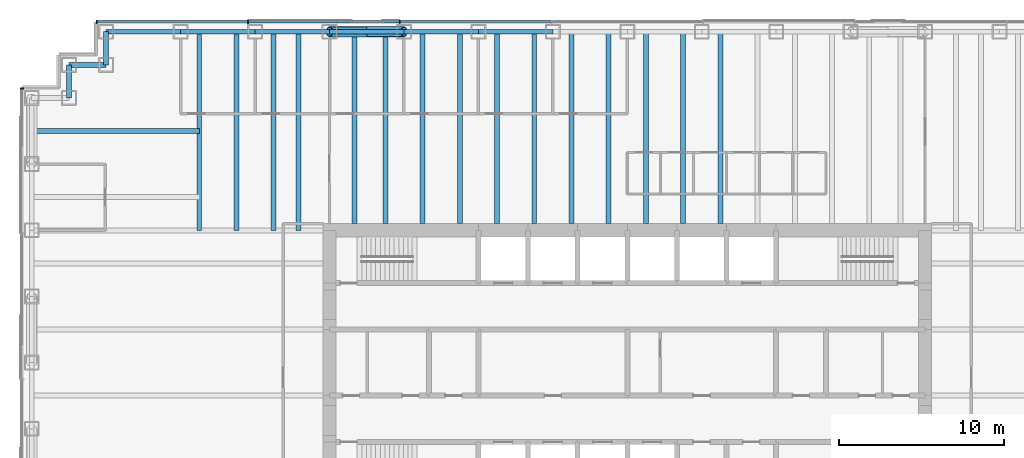
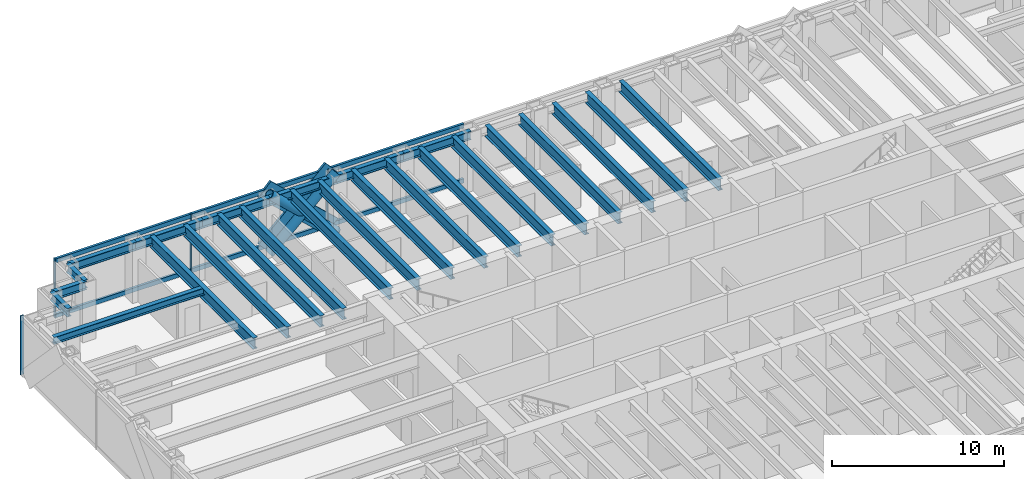
# One storey, part 5 of 15: 25 beams, 14 members, 2 elements without a shape of their own.
"""IFC4 building model written with IfcOpenShell, lengths in metres."""

from ifc_helpers import new_model, si_unit, direction, frame, origin, origin_2d, place, context, subcontext, project, spatial, rectangle, hollow_circle, i_section, extrude, material, material_profile, profile_set, type_object, element, aggregate, save


model = new_model("IFC4")

# Units and contexts
model_context = context("Model", 3, precision=1e-05, world=origin(), true_north=direction((0.0, 1.0)))
body_context = subcontext(model_context, "Body", "Model", "MODEL_VIEW")
ifc_project = project(units=[si_unit("LENGTHUNIT", "METRE"), si_unit("AREAUNIT", "SQUARE_METRE"), si_unit("VOLUMEUNIT", "CUBIC_METRE"), si_unit("PLANEANGLEUNIT", "RADIAN"), si_unit("MASSUNIT", "GRAM", prefix="KILO")], contexts=[model_context])

# Site, building, storey
site_placement = place(None, origin())
site = spatial("IfcSite", under=ifc_project, at=site_placement, CompositionType="ELEMENT")
building_placement = place(site_placement, origin())
building = spatial("IfcBuilding", under=site, at=building_placement, Name="Rheinbord Bourse Tower", CompositionType="ELEMENT")
storey_placement = place(building_placement, frame((0.0, 0.0, 257.199951171875)))
storey = spatial("IfcBuildingStorey", under=building, at=storey_placement, Name="L58", CompositionType="ELEMENT", Elevation=257.199951171875)

# Curtain wall, members
ifc_material_1 = material(Name="Dark glass and black aluminium", Category="aluminium")
curtain_wall_type = type_object("IfcCurtainWallType", Name="CW2 DARK GLASS CURTAIN WALL", PredefinedType="USERDEFINED", material=ifc_material_1)
curtain_wall_1_placement = place(storey_placement, origin())
curtain_wall_1 = element("IfcCurtainWall", 1, at=curtain_wall_1_placement, inside=storey, type_object=curtain_wall_type, Name="Curtain wall CW2 N L58", ObjectType="UNITISED CURTAIN WALL", PredefinedType="USERDEFINED")
ifc_material_2 = material(Name="Black anodised aluminium", Category="aluminium")
ifc_material_profile_1 = material_profile(ifc_material_2, rectangle(XDim=0.159912109375, YDim=1.2099609375, at=origin_2d()), Name="CW2 DIAGONAL MULLION 1210x160")
ifc_profile_set_1 = profile_set([ifc_material_profile_1], Name="Black anodised aluminium")
member_type_1 = type_object("IfcMemberType", Name="CW2 BLACK DIAGONAL MULLION", PredefinedType="USERDEFINED", material=ifc_profile_set_1)
member_1_placement = place(storey_placement, frame((18.0, 44.60009765625, 0.0), z_axis=(0.73105922506, 0.0, 0.682314010889), x_axis=(0.0, 1.0, 0.0)))
member_1 = element("IfcMember", 2, at=member_1_placement, type_object=member_type_1, Name="CW2 diagonal mullion a", ObjectType="DIAGONAL MULLION", PredefinedType="USERDEFINED", context=body_context, shape_type="SweptSolid", body=[
    extrude(rectangle(XDim=0.159912109375, YDim=1.2099609375, at=origin_2d()), origin(), (0.0, 0.0, 1.0), 6.155517578125),
])
member_2_placement = place(storey_placement, frame((22.5, 44.60009765625, 0.0), z_axis=(-0.73105922506, 0.0, 0.682314010889), x_axis=(0.0, -1.0, 0.0)))
member_2 = element("IfcMember", 3, at=member_2_placement, type_object=member_type_1, Name="CW2 diagonal mullion d", ObjectType="DIAGONAL MULLION", PredefinedType="USERDEFINED", context=body_context, shape_type="SweptSolid", body=[
    extrude(rectangle(XDim=0.159912109375, YDim=1.2099609375, at=origin_2d()), origin(), (0.0, 0.0, 1.0), 6.155517578125),
])
ifc_material_3 = material(Name="Black anodised aluminium", Category="aluminium")
ifc_material_profile_2 = material_profile(ifc_material_3, rectangle(XDim=0.219970703125, YDim=0.070068359375, at=origin_2d()), Name="CW2 MULLION 70x220")
ifc_profile_set_2 = profile_set([ifc_material_profile_2], Name="Black anodised aluminium")
member_type_2 = type_object("IfcMemberType", Name="CW2 BLACK MULLION", PredefinedType="MULLION", material=ifc_profile_set_2)
member_3_placement = place(storey_placement, frame((22.242919921875, 44.60009765625, 0.0), z_axis=(0.0, 0.0, 1.0), x_axis=(0.0, -1.0, 0.0)))
member_3 = element("IfcMember", 4, at=member_3_placement, type_object=member_type_2, Name="CW2 mullion 6", PredefinedType="MULLION", context=body_context, shape_type="SweptSolid", body=[
    extrude(rectangle(XDim=0.219970703125, YDim=0.070068359375, at=origin_2d()), origin(), (0.0, 0.0, 1.0), 4.199951171875),
])
member_4_placement = place(storey_placement, frame((13.071533203125, 44.60009765625, 0.0), z_axis=(0.0, 0.0, 1.0), x_axis=(0.0, -1.0, 0.0)))
member_4 = element("IfcMember", 5, at=member_4_placement, type_object=member_type_2, Name="CW2 mullion 7", PredefinedType="MULLION", context=body_context, shape_type="SweptSolid", body=[
    extrude(rectangle(XDim=0.219970703125, YDim=0.070068359375, at=origin_2d()), origin(), (0.0, 0.0, 1.0), 4.199951171875),
])
member_5_placement = place(storey_placement, frame((3.93505859375, 44.60009765625, 0.0), z_axis=(0.0, 0.0, 1.0), x_axis=(0.0, -1.0, 0.0)))
member_5 = element("IfcMember", 6, at=member_5_placement, type_object=member_type_2, Name="CW2 mullion 8", PredefinedType="MULLION", context=body_context, shape_type="SweptSolid", body=[
    extrude(rectangle(XDim=0.219970703125, YDim=0.070068359375, at=origin_2d()), origin(), (0.0, 0.0, 1.0), 4.199951171875),
])

# Curtain wall, member
curtain_wall_2_placement = place(storey_placement, origin())
curtain_wall_2 = element("IfcCurtainWall", 7, at=curtain_wall_2_placement, inside=storey, type_object=curtain_wall_type, Name="Curtain wall CW2 W L58", ObjectType="UNITISED CURTAIN WALL", PredefinedType="USERDEFINED")
member_6_placement = place(storey_placement, frame((-0.60009765625, 40.56494140625, 0.0), z_axis=(0.0, 0.0, 1.0), x_axis=(1.0, 0.0, 0.0)))
member_6 = element("IfcMember", 8, at=member_6_placement, type_object=member_type_2, Name="CW2 mullion 1", PredefinedType="MULLION", context=body_context, shape_type="SweptSolid", body=[
    extrude(rectangle(XDim=0.219970703125, YDim=0.070068359375, at=origin_2d()), origin(), (0.0, 0.0, 1.0), 4.199951171875),
])
aggregate(curtain_wall_2, [member_6])

# Member
ifc_material_4 = material(Name="Black anodised aluminium", Category="aluminium")
ifc_material_profile_3 = material_profile(ifc_material_4, rectangle(XDim=0.159912109375, YDim=0.300048828125, at=origin_2d()), Name="CW2 TRANSOM 300x160")
ifc_profile_set_3 = profile_set([ifc_material_profile_3], Name="Black anodised aluminium")
member_type_3 = type_object("IfcMemberType", Name="CW2 BLACK TRANSOM", PredefinedType="USERDEFINED", material=ifc_profile_set_3)
member_7_placement = place(storey_placement, frame((31.37939453125, 44.60009765625, 0.150146484375), z_axis=(-1.0, 0.0, 0.0), x_axis=(0.0, -1.0, 0.0)))
member_7 = element("IfcMember", 9, at=member_7_placement, type_object=member_type_3, Name="CW2 transom 5.1", ObjectType="TRANSOM", PredefinedType="USERDEFINED", context=body_context, shape_type="SweptSolid", body=[
    extrude(rectangle(XDim=0.159912109375, YDim=0.300048828125, at=origin_2d()), origin(), (0.0, 0.0, 1.0), 9.1015625),
])

member_8_placement = place(storey_placement, frame((31.37939453125, 44.60009765625, 4.050048828125), z_axis=(-1.0, 0.0, 0.0), x_axis=(0.0, -1.0, 0.0)))
member_8 = element("IfcMember", 10, at=member_8_placement, type_object=member_type_3, Name="CW2 transom 5.2", ObjectType="TRANSOM", PredefinedType="USERDEFINED", context=body_context, shape_type="SweptSolid", body=[
    extrude(rectangle(XDim=0.159912109375, YDim=0.300048828125, at=origin_2d()), origin(), (0.0, 0.0, 1.0), 9.1015625),
])

member_9_placement = place(storey_placement, frame((22.207763671875, 44.60009765625, 0.150146484375), z_axis=(-1.0, 0.0, 0.0), x_axis=(0.0, -1.0, 0.0)))
member_9 = element("IfcMember", 11, at=member_9_placement, type_object=member_type_3, Name="CW2 transom 6.1", ObjectType="TRANSOM", PredefinedType="USERDEFINED", context=body_context, shape_type="SweptSolid", body=[
    extrude(rectangle(XDim=0.159912109375, YDim=0.300048828125, at=origin_2d()), origin(), (0.0, 0.0, 1.0), 9.101318359375),
])

member_10_placement = place(storey_placement, frame((22.207763671875, 44.60009765625, 4.050048828125), z_axis=(-1.0, 0.0, 0.0), x_axis=(0.0, -1.0, 0.0)))
member_10 = element("IfcMember", 12, at=member_10_placement, type_object=member_type_3, Name="CW2 transom 6.2", ObjectType="TRANSOM", PredefinedType="USERDEFINED", context=body_context, shape_type="SweptSolid", body=[
    extrude(rectangle(XDim=0.159912109375, YDim=0.300048828125, at=origin_2d()), origin(), (0.0, 0.0, 1.0), 9.101318359375),
])

member_11_placement = place(storey_placement, frame((13.036376953125, 44.60009765625, 0.150146484375), z_axis=(-1.0, 0.0, 0.0), x_axis=(0.0, -1.0, 0.0)))
member_11 = element("IfcMember", 13, at=member_11_placement, type_object=member_type_3, Name="CW2 transom 7.1", ObjectType="TRANSOM", PredefinedType="USERDEFINED", context=body_context, shape_type="SweptSolid", body=[
    extrude(rectangle(XDim=0.159912109375, YDim=0.300048828125, at=origin_2d()), origin(), (0.0, 0.0, 1.0), 9.06640625),
])

member_12_placement = place(storey_placement, frame((13.036376953125, 44.60009765625, 4.050048828125), z_axis=(-1.0, 0.0, 0.0), x_axis=(0.0, -1.0, 0.0)))
member_12 = element("IfcMember", 14, at=member_12_placement, type_object=member_type_3, Name="CW2 transom 7.2", ObjectType="TRANSOM", PredefinedType="USERDEFINED", context=body_context, shape_type="SweptSolid", body=[
    extrude(rectangle(XDim=0.159912109375, YDim=0.300048828125, at=origin_2d()), origin(), (0.0, 0.0, 1.0), 9.06640625),
])

aggregate(curtain_wall_1, [member_3, member_4, member_5, member_7, member_8, member_9, member_10, member_11, member_12, member_1, member_2])

# Beams
ifc_material_5 = material(Name="Steel S460", Category="steel")
ifc_material_profile_4 = material_profile(ifc_material_5, i_section(OverallWidth=0.300048828125, OverallDepth=0.800048828125, WebThickness=0.017578125, FlangeThickness=0.032958984375, at=origin_2d()), Name="HEB 800")
ifc_profile_set_4 = profile_set([ifc_material_profile_4], Name="Steel S460")
beam_type_1 = type_object("IfcBeamType", Name="FLOOR BEAM HEB 800", PredefinedType="BEAM", material=ifc_profile_set_4)
for number, where, z_axis, x_axis, name in (
    (15, (10.125, 44.0, 3.64013671875), (0.0, -1.0, 0.0), (1.0, 0.0, 0.0), "Floor beam N-9a L59"),
    (16, (12.375, 44.0, 3.64013671875), (0.0, -1.0, 0.0), (1.0, 0.0, 0.0), "Floor beam N-9b L59"),
    (17, (14.625, 44.0, 3.64013671875), (0.0, -1.0, 0.0), (1.0, 0.0, 0.0), "Floor beam N-13.5a L59"),
    (18, (16.125, 44.0, 3.64013671875), (0.0, -1.0, 0.0), (1.0, 0.0, 0.0), "Floor beam N-13.5b L59"),
):
    element("IfcBeam", number, at=place(storey_placement, frame(where, z_axis=z_axis, x_axis=x_axis)), inside=storey, type_object=beam_type_1, Name=name, PredefinedType="BEAM", context=body_context, shape_type="SweptSolid", body=[
        extrude(i_section(OverallWidth=0.300048828125, OverallDepth=0.800048828125, WebThickness=0.017578125, FlangeThickness=0.032958984375, at=origin_2d()), origin(), (0.0, 0.0, 1.0), 12.0),
    ])
for number, where, z_axis, x_axis, name in (
    (19, (19.5, 44.0, 3.64013671875), (0.0, -1.0, 0.0), (1.0, 0.0, 0.0), "Floor beam N-18a L59"),
    (20, (21.375, 44.0, 3.64013671875), (0.0, -1.0, 0.0), (1.0, 0.0, 0.0), "Floor beam N-18b L59"),
    (21, (23.625, 44.0, 3.64013671875), (0.0, -1.0, 0.0), (1.0, 0.0, 0.0), "Floor beam N-22.5a L59"),
    (22, (25.875, 44.0, 3.64013671875), (0.0, -1.0, 0.0), (1.0, 0.0, 0.0), "Floor beam N-22.5b L59"),
    (23, (28.125, 44.0, 3.64013671875), (0.0, -1.0, 0.0), (1.0, 0.0, 0.0), "Floor beam N-27a L59"),
    (24, (30.375, 44.0, 3.64013671875), (0.0, -1.0, 0.0), (1.0, 0.0, 0.0), "Floor beam N-27b L59"),
    (25, (32.625, 44.0, 3.64013671875), (0.0, -1.0, 0.0), (1.0, 0.0, 0.0), "Floor beam N-31.5a L59"),
    (26, (34.875, 44.0, 3.64013671875), (0.0, -1.0, 0.0), (1.0, 0.0, 0.0), "Floor beam N-31.5b L59"),
    (27, (37.125, 44.0, 3.64013671875), (0.0, -1.0, 0.0), (1.0, 0.0, 0.0), "Floor beam N-36a L59"),
    (28, (39.375, 44.0, 3.64013671875), (0.0, -1.0, 0.0), (1.0, 0.0, 0.0), "Floor beam N-36b L59"),
    (29, (41.625, 44.0, 3.64013671875), (0.0, -1.0, 0.0), (1.0, 0.0, 0.0), "Floor beam N-40.5a L59"),
):
    element("IfcBeam", number, at=place(storey_placement, frame(where, z_axis=z_axis, x_axis=x_axis)), inside=storey, type_object=beam_type_1, Name=name, PredefinedType="BEAM", context=body_context, shape_type="SweptSolid", body=[
        extrude(i_section(OverallWidth=0.300048828125, OverallDepth=0.800048828125, WebThickness=0.017578125, FlangeThickness=0.032958984375, at=origin_2d()), origin(), (0.0, 0.0, 1.0), 11.60009765625),
    ])

# Members
ifc_material_6 = material(Name="Steel S460", Category="steel")
ifc_material_profile_5 = material_profile(ifc_material_6, hollow_circle(Radius=0.304931640625, WallThickness=0.0400390625, at=origin_2d()), Name="CHS 610x40")
ifc_profile_set_5 = profile_set([ifc_material_profile_5], Name="Steel S460")
member_type_4 = type_object("IfcMemberType", Name="MEGABRACE CHS 610x40", PredefinedType="BRACE", material=ifc_profile_set_5)
for number, where, z_axis, x_axis, name in (
    (30, (18.0, 44.0, 0.0), (0.73105922506, 0.0, 0.682314010889), (0.0, 1.0, 0.0), "Megabrace N face line a L58"),
    (31, (22.5, 44.0, 0.0), (-0.73105922506, 0.0, 0.682314010889), (0.0, -1.0, 0.0), "Megabrace N face line d L58"),
):
    element("IfcMember", number, at=place(storey_placement, frame(where, z_axis=z_axis, x_axis=x_axis)), inside=storey, type_object=member_type_4, Name=name, PredefinedType="BRACE", context=body_context, shape_type="SweptSolid", body=[
        extrude(hollow_circle(Radius=0.304931640625, WallThickness=0.0400390625, at=origin_2d()), origin(), (0.0, 0.0, 1.0), 6.155517578125),
    ])

# Beams
ifc_material_7 = material(Name="Steel S460", Category="steel")
ifc_material_profile_6 = material_profile(ifc_material_7, i_section(OverallWidth=0.300048828125, OverallDepth=0.60009765625, WebThickness=0.015380859375, FlangeThickness=0.030029296875, at=origin_2d()), Name="HEB 600")
ifc_profile_set_6 = profile_set([ifc_material_profile_6], Name="Steel S460")
beam_type_2 = type_object("IfcBeamType", Name="SPANDREL HEB 600", PredefinedType="SPANDREL", material=ifc_profile_set_6)
for number, where, z_axis, x_axis, name in (
    (32, (31.5, 44.0, 3.739990234375), (-1.0, 0.0, 0.0), (0.0, -1.0, 0.0), "Spandrel N-31.5-N-27 under L59"),
    (33, (27.0, 44.0, 3.739990234375), (-1.0, 0.0, 0.0), (0.0, -1.0, 0.0), "Spandrel N-27-N-22.5 under L59"),
    (34, (22.5, 44.0, 3.739990234375), (-1.0, 0.0, 0.0), (0.0, -1.0, 0.0), "Spandrel N-22.5-N-18 under L59"),
    (35, (18.0, 44.0, 3.739990234375), (-1.0, 0.0, 0.0), (0.0, -1.0, 0.0), "Spandrel N-18-N-13.5 under L59"),
    (36, (13.5, 44.0, 3.739990234375), (-1.0, 0.0, 0.0), (0.0, -1.0, 0.0), "Spandrel N-13.5-N-9 under L59"),
    (37, (9.0, 44.0, 3.739990234375), (-1.0, 0.0, 0.0), (0.0, -1.0, 0.0), "Spandrel N-9-NW-E under L59"),
):
    element("IfcBeam", number, at=place(storey_placement, frame(where, z_axis=z_axis, x_axis=x_axis)), inside=storey, type_object=beam_type_2, Name=name, PredefinedType="SPANDREL", context=body_context, shape_type="SweptSolid", body=[
        extrude(i_section(OverallWidth=0.300048828125, OverallDepth=0.60009765625, WebThickness=0.015380859375, FlangeThickness=0.030029296875, at=origin_2d()), origin(), (0.0, 0.0, 1.0), 4.5),
    ])
beam_1_placement = place(storey_placement, frame((4.5, 44.0, 3.739990234375), z_axis=(0.0, -1.0, 0.0), x_axis=(1.0, 0.0, 0.0)))
element("IfcBeam", 38, at=beam_1_placement, inside=storey, type_object=beam_type_2, Name="Spandrel NW-E-NW-D under L59", PredefinedType="SPANDREL", context=body_context, shape_type="SweptSolid", body=[
    extrude(i_section(OverallWidth=0.300048828125, OverallDepth=0.60009765625, WebThickness=0.015380859375, FlangeThickness=0.030029296875, at=origin_2d()), origin(), (0.0, 0.0, 1.0), 2.0),
])
beam_2_placement = place(storey_placement, frame((4.5, 42.0, 3.739990234375), z_axis=(-1.0, 0.0, 0.0), x_axis=(0.0, -1.0, 0.0)))
element("IfcBeam", 39, at=beam_2_placement, inside=storey, type_object=beam_type_2, Name="Spandrel NW-D-NW-C under L59", PredefinedType="SPANDREL", context=body_context, shape_type="SweptSolid", body=[
    extrude(i_section(OverallWidth=0.300048828125, OverallDepth=0.60009765625, WebThickness=0.015380859375, FlangeThickness=0.030029296875, at=origin_2d()), origin(), (0.0, 0.0, 1.0), 2.25),
])
beam_3_placement = place(storey_placement, frame((2.25, 42.0, 3.739990234375), z_axis=(0.0, -1.0, 0.0), x_axis=(1.0, 0.0, 0.0)))
element("IfcBeam", 40, at=beam_3_placement, inside=storey, type_object=beam_type_2, Name="Spandrel NW-C-NW-B under L59", PredefinedType="SPANDREL", context=body_context, shape_type="SweptSolid", body=[
    extrude(i_section(OverallWidth=0.300048828125, OverallDepth=0.60009765625, WebThickness=0.015380859375, FlangeThickness=0.030029296875, at=origin_2d()), origin(), (0.0, 0.0, 1.0), 2.0),
])
ifc_material_8 = material(Name="Steel S460", Category="steel")
ifc_material_profile_7 = material_profile(ifc_material_8, i_section(OverallWidth=0.300048828125, OverallDepth=0.5, WebThickness=0.014404296875, FlangeThickness=0.028076171875, at=origin_2d()), Name="HEB 500")
ifc_profile_set_7 = profile_set([ifc_material_profile_7], Name="Steel S460")
beam_type_3 = type_object("IfcBeamType", Name="TIE BEAM HEB 500", PredefinedType="JOIST", material=ifc_profile_set_7)
beam_4_placement = place(storey_placement, frame((0.0, 38.0, 3.7900390625), z_axis=(1.0, 0.0, 0.0), x_axis=(0.0, 1.0, 0.0)))
element("IfcBeam", 41, at=beam_4_placement, inside=storey, type_object=beam_type_3, Name="Tie west 38 L59", PredefinedType="JOIST", context=body_context, shape_type="SweptSolid", body=[
    extrude(i_section(OverallWidth=0.300048828125, OverallDepth=0.5, WebThickness=0.014404296875, FlangeThickness=0.028076171875, at=origin_2d()), origin(), (0.0, 0.0, 1.0), 10.125),
])

save(model, "model.ifc")
